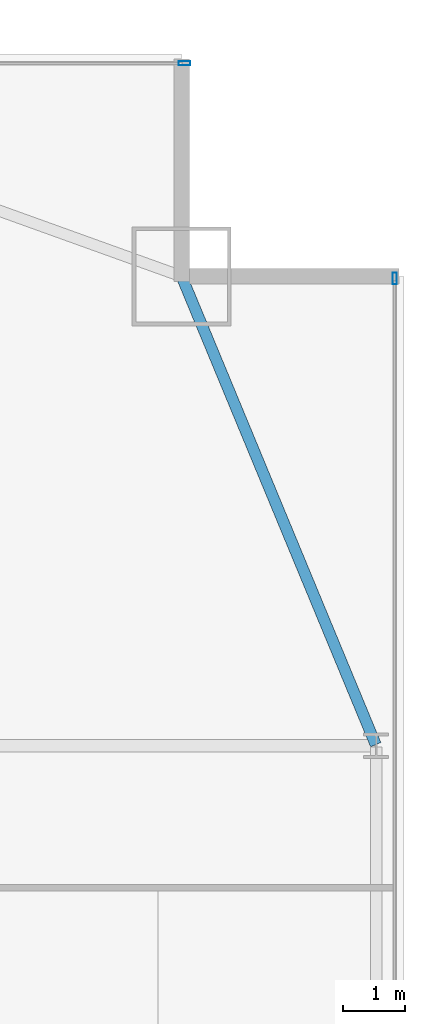
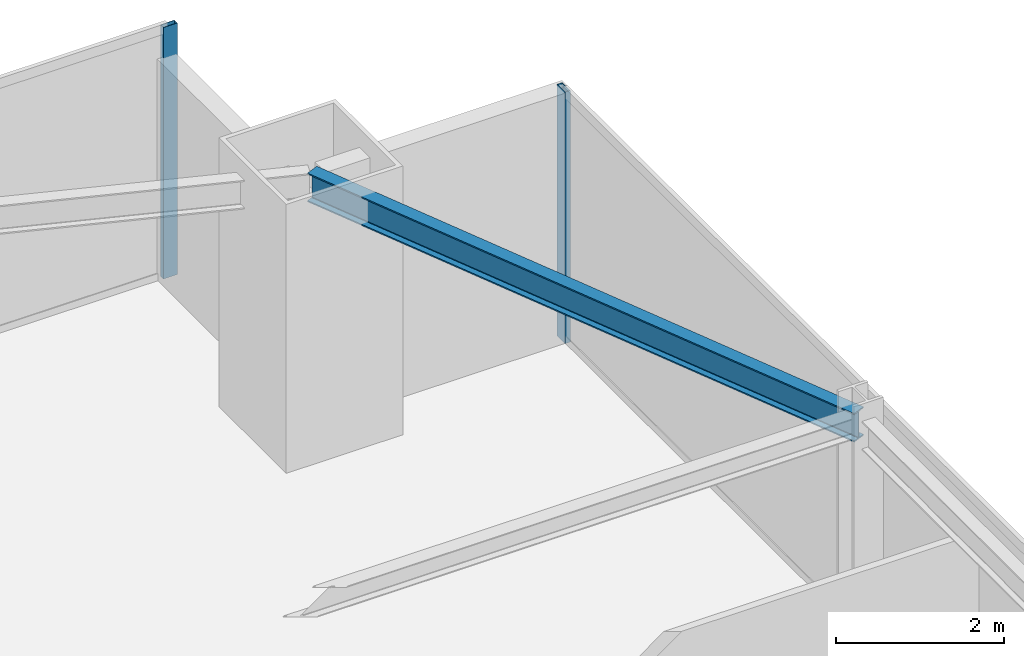
# One storey, part 23 of 31: 2 members, 1 beam, 2 elements without a shape of their own.
"""IFC4 building model written with IfcOpenShell, lengths in metres."""

from ifc_helpers import new_model, si_unit, direction, frame, origin, origin_2d, place, context, subcontext, project, spatial, hollow_rectangle, i_section, extrude, source, transform, mapped, material, layer, layer_set, material_profile, profile_set, type_object, type_shapes, element, aggregate, save


model = new_model("IFC4")

# Units and contexts
model_context = context("Model", 3, precision=1e-05, world=origin(), true_north=direction((0.0, 1.0)))
body_context = subcontext(model_context, "Body", "Model", "MODEL_VIEW")
ifc_project = project(units=[si_unit("LENGTHUNIT", "METRE"), si_unit("AREAUNIT", "SQUARE_METRE"), si_unit("VOLUMEUNIT", "CUBIC_METRE"), si_unit("PLANEANGLEUNIT", "RADIAN"), si_unit("MASSUNIT", "GRAM", prefix="KILO")], contexts=[model_context])

# Site, building, storey
site_placement = place(None, origin())
site = spatial("IfcSite", under=ifc_project, at=site_placement, CompositionType="ELEMENT")
building_placement = place(site_placement, origin())
building = spatial("IfcBuilding", under=site, at=building_placement, Name="Varnel Quay Broadcast Tower", CompositionType="ELEMENT")
storey_placement = place(building_placement, frame((0.0, 0.0, 35.39990234375)))
storey = spatial("IfcBuildingStorey", under=building, at=storey_placement, Name="L07", CompositionType="ELEMENT", Elevation=35.39990234375)

# Beam
ifc_material_1 = material(Name="Structural Steel CSA G40.21 350W", Category="steel")
ifc_material_profile_1 = material_profile(ifc_material_1, i_section(OverallWidth=0.180908203125, OverallDepth=0.4169921875, WebThickness=0.010986328125, FlangeThickness=0.018310546875, FilletRadius=0.011962890625, at=origin_2d()), Name="W410X85")
ifc_profile_set_1 = profile_set([ifc_material_profile_1], Name="Structural Steel CSA G40.21 350W")
beam_type = type_object("IfcBeamType", Name="Beam_W410X85", PredefinedType="SPANDREL", material=ifc_profile_set_1)
shared_shape_1 = source(origin(), body_context, "Body", "SweptSolid", [
    extrude(i_section(OverallWidth=0.180908203125, OverallDepth=0.4169921875, WebThickness=0.010986328125, FlangeThickness=0.018310546875, FilletRadius=0.011962890625, at=origin_2d()), origin(), (0.0, 0.0, 1.0), 8.186767578125),
])
type_shapes(beam_type, [shared_shape_1])
beam_placement = place(storey_placement, frame((65.542236328125, 35.618408203125, 3.441650390625), z_axis=(-0.382874132092, 0.923800519038, 0.0), x_axis=(-0.923800519038, -0.382874132092, 0.0)))
element("IfcBeam", 1, at=beam_placement, inside=storey, type_object=beam_type, Name="L07 East Spandrel TC-E3-MC-NE", PredefinedType="SPANDREL", context=body_context, shape_type="MappedRepresentation", body=[
    mapped(shared_shape_1, transform((0.0, 0.0, 0.0), x_axis=(1.0, 0.0, 0.0), y_axis=(0.0, 1.0, 0.0), z_axis=(0.0, 0.0, 1.0), scale=1.0)),
])

# Curtain wall, member
ifc_material_2 = material(Name="Anodised Bronze Aluminium 6063-T6", Category="aluminium")
ifc_layer = layer(ifc_material_2, 0.18994140625, Name="Anodised Bronze Aluminium 6063-T6")
ifc_layer_set = layer_set([ifc_layer], Name="Anodised Bronze Aluminium 6063-T6")
curtain_wall_type = type_object("IfcCurtainWallType", Name="CW_LowerTower", PredefinedType="NOTDEFINED", material=ifc_layer_set)
curtain_wall_1_placement = place(storey_placement, origin())
curtain_wall_1 = element("IfcCurtainWall", 2, at=curtain_wall_1_placement, inside=storey, type_object=curtain_wall_type, Name="L07 East Unitised Curtain Wall", PredefinedType="NOTDEFINED")
ifc_material_profile_2 = material_profile(ifc_material_2, hollow_rectangle(XDim=0.070068359375, YDim=0.18994140625, WallThickness=0.00390625, at=origin_2d()), Name="ALU70X190X4")
ifc_profile_set_2 = profile_set([ifc_material_profile_2], Name="Anodised Bronze Aluminium 6063-T6")
member_type = type_object("IfcMemberType", Name="Mull_CWS-02", PredefinedType="MULLION", material=ifc_profile_set_2)
shared_shape_2 = source(origin(), body_context, "Body", "SweptSolid", [
    extrude(hollow_rectangle(XDim=0.070068359375, YDim=0.18994140625, WallThickness=0.00390625, at=origin_2d()), origin(), (0.0, 0.0, 1.0), 3.650146484375),
])
type_shapes(member_type, [shared_shape_2])
member_1_placement = place(storey_placement, frame((65.85009765625, 43.1650390625, 0.0), z_axis=(0.0, 0.0, 1.0), x_axis=(-1.0, 0.0, 0.0)))
member_1 = element("IfcMember", 3, at=member_1_placement, type_object=member_type, Name="CWS-02 mullion 4", PredefinedType="MULLION", context=body_context, shape_type="MappedRepresentation", body=[
    mapped(shared_shape_2, transform((0.0, 0.0, 0.0), x_axis=(1.0, 0.0, 0.0), y_axis=(0.0, 1.0, 0.0), z_axis=(0.0, 0.0, 1.0), scale=1.0)),
])
aggregate(curtain_wall_1, [member_1])

curtain_wall_2_placement = place(storey_placement, origin())
curtain_wall_2 = element("IfcCurtainWall", 4, at=curtain_wall_2_placement, inside=storey, type_object=curtain_wall_type, Name="L07 NE Wing Curtain Wall", PredefinedType="NOTDEFINED")
member_2_placement = place(storey_placement, frame((62.445068359375, 46.64990234375, 0.0), z_axis=(0.0, 0.0, 1.0), x_axis=(0.0, 1.0, 0.0)))
member_2 = element("IfcMember", 5, at=member_2_placement, type_object=member_type, Name="CWS-02 mullion 2", PredefinedType="MULLION", context=body_context, shape_type="MappedRepresentation", body=[
    mapped(shared_shape_2, transform((0.0, 0.0, 0.0), x_axis=(1.0, 0.0, 0.0), y_axis=(0.0, 1.0, 0.0), z_axis=(0.0, 0.0, 1.0), scale=1.0)),
])
aggregate(curtain_wall_2, [member_2])

save(model, "model.ifc")
